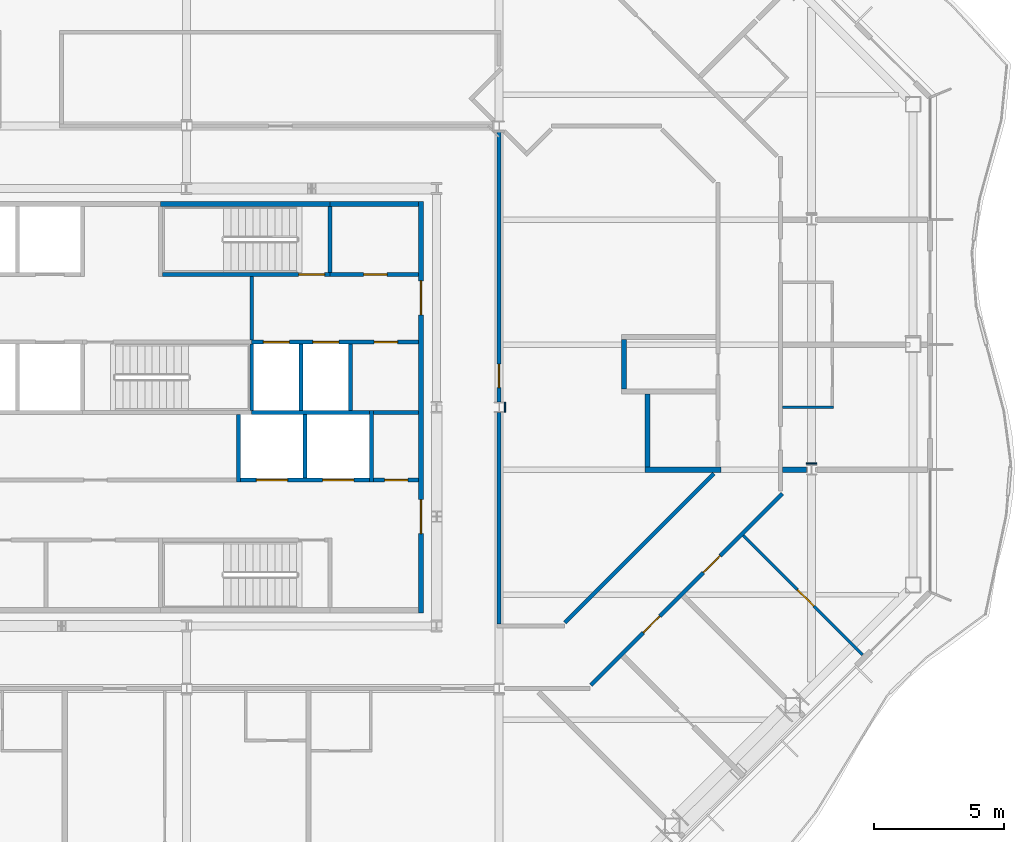
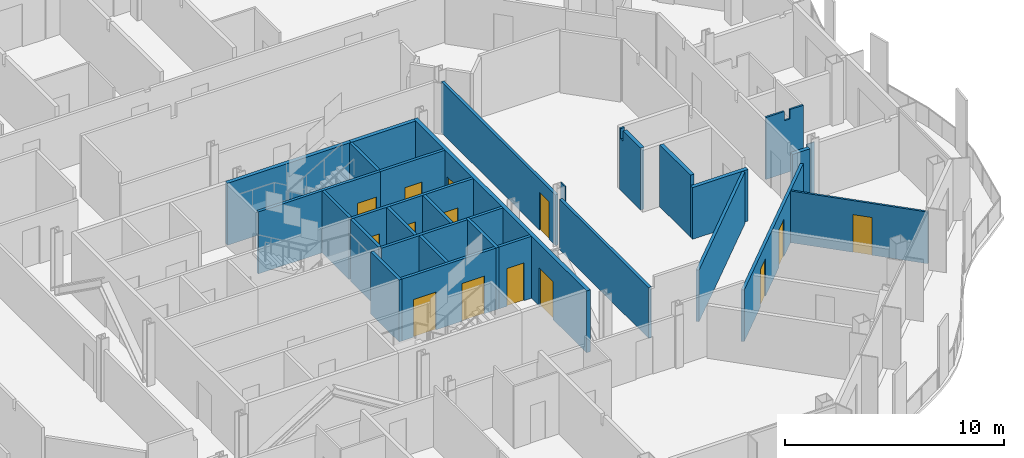
# One storey, part 10 of 21: 30 walls, 14 doors, 14 openings.
"""IFC4 building model written with IfcOpenShell, lengths in metres."""

from ifc_helpers import new_model, si_unit, direction, frame, frame_2d, origin, place, context, subcontext, project, spatial, polyline, rectangle, outline, extrude, material, layer, layer_set, type_object, element, fill, save


model = new_model("IFC4")

# Units and contexts
model_context = context("Model", 3, precision=1e-05, world=origin(), true_north=direction((0.0, 1.0)))
body_context = subcontext(model_context, "Body", "Model", "MODEL_VIEW")
ifc_project = project(units=[si_unit("LENGTHUNIT", "METRE"), si_unit("AREAUNIT", "SQUARE_METRE"), si_unit("VOLUMEUNIT", "CUBIC_METRE"), si_unit("PLANEANGLEUNIT", "RADIAN"), si_unit("MASSUNIT", "GRAM", prefix="KILO")], contexts=[model_context])

# Site, building, storey
site_placement = place(None, origin())
site = spatial("IfcSite", under=ifc_project, at=site_placement, CompositionType="ELEMENT")
building_placement = place(site_placement, origin())
building = spatial("IfcBuilding", under=site, at=building_placement, Name="Cairn Pilgrim Tower", CompositionType="ELEMENT")
storey_placement = place(building_placement, frame((0.0, 0.0, 157.800048828125)))
storey = spatial("IfcBuildingStorey", under=building, at=storey_placement, Name="L39", CompositionType="ELEMENT", Elevation=157.800048828125)

# Wall
ifc_material_1 = material(Name="Concrete C32/40", Category="concrete")
ifc_layer_1 = layer(ifc_material_1, 0.199951171875)
ifc_layer_set_1 = layer_set([ifc_layer_1], Name="CORE OUTER WALL 200 EI 120")
wall_type_1 = type_object("IfcWallType", Name="CORE OUTER WALL 200 EI 120", PredefinedType="SOLIDWALL", material=ifc_layer_set_1)
wall_1_placement = place(storey_placement, frame((12.699951171875, 10.199951171875, 0.0), z_axis=(0.0, 0.0, 1.0), x_axis=(1.0, 0.0, 0.0)))
element("IfcWall", 1, at=wall_1_placement, inside=storey, type_object=wall_type_1, Name="CW:L39:H12-3", PredefinedType="SOLIDWALL", context=body_context, shape_type="SweptSolid", body=[
    extrude(rectangle(XDim=3.400146484375, YDim=0.199951171875, at=frame_2d((1.7001953125, 0.0))), origin(), (0.0, 0.0, 1.0), 3.449951171875),
])

# Wall, openings, doors
wall_2_placement = place(storey_placement, frame((16.199951171875, -5.5, 0.0), z_axis=(0.0, 0.0, 1.0), x_axis=(0.0, 1.0, 0.0)))
wall_2 = element("IfcWall", 2, at=wall_2_placement, inside=storey, type_object=wall_type_1, Name="CW:L39:V30", PredefinedType="SOLIDWALL", context=body_context, shape_type="SweptSolid", body=[
    extrude(rectangle(XDim=15.800048828125, YDim=0.199951171875, at=frame_2d((7.89990234375, 0.0))), origin(), (0.0, 0.0, 1.0), 3.449951171875),
])
opening_1_placement = place(wall_2_placement, frame((3.050048828125, 0.0, 0.0)))
opening_1 = element("IfcOpeningElement", 3, at=opening_1_placement, cuts=wall_2, Name="Opening CD-E1", PredefinedType="OPENING", context=body_context, shape_type="SweptSolid", body=[
    extrude(rectangle(XDim=1.300048828125, YDim=2.10009765625, at=frame_2d((0.64990234375, 1.050048828125))), frame((0.0, 0.10986328125, 0.0), z_axis=(0.0, -1.0, 0.0), x_axis=(1.0, 0.0, 0.0)), (0.0, 0.0, 1.0), 0.219970703125),
])
opening_2_placement = place(wall_2_placement, frame((11.449951171875, 0.0, 0.0)))
opening_2 = element("IfcOpeningElement", 4, at=opening_2_placement, cuts=wall_2, Name="Opening CD-E2", PredefinedType="OPENING", context=body_context, shape_type="SweptSolid", body=[
    extrude(rectangle(XDim=1.300048828125, YDim=2.10009765625, at=frame_2d((0.64990234375, 1.050048828125))), frame((0.0, 0.10986328125, 0.0), z_axis=(0.0, -1.0, 0.0), x_axis=(1.0, 0.0, 0.0)), (0.0, 0.0, 1.0), 0.219970703125),
])
ifc_material_2 = material(Name="Painted steel", Category="steel")
door_type_1 = type_object("IfcDoorType", Name="CORE LOBBY DOOR 1300x2100", OperationType="DOUBLE_DOOR_SINGLE_SWING", PredefinedType="DOOR", material=ifc_material_2)
door_1_placement = place(opening_1_placement, origin())
door_1 = element("IfcDoor", 5, at=door_1_placement, inside=storey, type_object=door_type_1, Name="CD-E1", OperationType="DOUBLE_DOOR_SINGLE_SWING", OverallHeight=2.10009765625, OverallWidth=1.300048828125, PredefinedType="DOOR", context=body_context, shape_type="SweptSolid", body=[
    extrude(rectangle(XDim=1.300048828125, YDim=2.10009765625, at=frame_2d((0.64990234375, 1.050048828125))), frame((0.0, 0.02490234375, 0.0), z_axis=(0.0, -1.0, 0.0), x_axis=(1.0, 0.0, 0.0)), (0.0, 0.0, 1.0), 0.050048828125),
])
fill(opening_1, door_1)
door_2_placement = place(opening_2_placement, origin())
door_2 = element("IfcDoor", 6, at=door_2_placement, inside=storey, type_object=door_type_1, Name="CD-E2", OperationType="DOUBLE_DOOR_SINGLE_SWING", OverallHeight=2.10009765625, OverallWidth=1.300048828125, PredefinedType="DOOR", context=body_context, shape_type="SweptSolid", body=[
    extrude(rectangle(XDim=1.300048828125, YDim=2.10009765625, at=frame_2d((0.64990234375, 1.050048828125))), frame((0.0, 0.02490234375, 0.0), z_axis=(0.0, -1.0, 0.0), x_axis=(1.0, 0.0, 0.0)), (0.0, 0.0, 1.0), 0.050048828125),
])
fill(opening_2, door_2)

# Wall, opening, door
ifc_layer_2 = layer(ifc_material_1, 0.14990234375)
ifc_layer_set_2 = layer_set([ifc_layer_2], Name="CORE PARTITION 150 EI 60")
wall_type_2 = type_object("IfcWallType", Name="CORE PARTITION 150 EI 60", PredefinedType="PARTITIONING", material=ifc_layer_set_2)
wall_3_placement = place(storey_placement, frame((14.375, -0.39990234375, 0.0), z_axis=(0.0, 0.0, 1.0), x_axis=(1.0, 0.0, 0.0)))
wall_3 = element("IfcWall", 7, at=wall_3_placement, inside=storey, type_object=wall_type_2, Name="CW:L39:H06", PredefinedType="PARTITIONING", context=body_context, shape_type="SweptSolid", body=[
    extrude(rectangle(XDim=1.72509765625, YDim=0.14990234375, at=frame_2d((0.862548828125, 0.0))), origin(), (0.0, 0.0, 1.0), 3.449951171875),
])
opening_3_placement = place(wall_3_placement, frame((0.425048828125, 0.0, 0.0)))
opening_3 = element("IfcOpeningElement", 8, at=opening_3_placement, cuts=wall_3, Name="Opening RD-R2E", PredefinedType="OPENING", context=body_context, shape_type="SweptSolid", body=[
    extrude(rectangle(XDim=0.89990234375, YDim=2.10009765625, at=frame_2d((0.449951171875, 1.050048828125))), frame((0.0, 0.0849609375, 0.0), z_axis=(0.0, -1.0, 0.0), x_axis=(1.0, 0.0, 0.0)), (0.0, 0.0, 1.0), 0.169921875),
])
door_type_2 = type_object("IfcDoorType", Name="SERVICE ROOM DOOR 900x2100", OperationType="SINGLE_SWING_LEFT", PredefinedType="DOOR", material=ifc_material_2)
door_3_placement = place(opening_3_placement, origin())
door_3 = element("IfcDoor", 9, at=door_3_placement, inside=storey, type_object=door_type_2, Name="RD-R2E", OperationType="SINGLE_SWING_LEFT", OverallHeight=2.10009765625, OverallWidth=0.89990234375, PredefinedType="DOOR", context=body_context, shape_type="SweptSolid", body=[
    extrude(rectangle(XDim=0.89990234375, YDim=2.10009765625, at=frame_2d((0.449951171875, 1.050048828125))), frame((0.0, 0.02490234375, 0.0), z_axis=(0.0, -1.0, 0.0), x_axis=(1.0, 0.0, 0.0)), (0.0, 0.0, 1.0), 0.050048828125),
])
fill(opening_3, door_3)

# Wall
wall_4_placement = place(storey_placement, frame((14.375, 2.199951171875, 0.0), z_axis=(0.0, 0.0, 1.0), x_axis=(1.0, 0.0, 0.0)))
element("IfcWall", 10, at=wall_4_placement, inside=storey, type_object=wall_type_2, Name="CW:L39:H08", PredefinedType="PARTITIONING", context=body_context, shape_type="SweptSolid", body=[
    extrude(rectangle(XDim=1.72509765625, YDim=0.14990234375, at=frame_2d((0.862548828125, 0.0))), origin(), (0.0, 0.0, 1.0), 3.449951171875),
])

# Wall, openings, doors
ifc_layer_3 = layer(ifc_material_1, 0.14990234375)
ifc_layer_set_3 = layer_set([ifc_layer_3], Name="CORE SHAFT WALL 150 EI 120")
wall_type_3 = type_object("IfcWallType", Name="CORE SHAFT WALL 150 EI 120", PredefinedType="SOLIDWALL", material=ifc_layer_set_3)
wall_5_placement = place(storey_placement, frame((9.27490234375, -0.39990234375, 0.0), z_axis=(0.0, 0.0, 1.0), x_axis=(1.0, 0.0, 0.0)))
wall_5 = element("IfcWall", 11, at=wall_5_placement, inside=storey, type_object=wall_type_3, Name="CW:L39:H05", PredefinedType="SOLIDWALL", context=body_context, shape_type="SweptSolid", body=[
    extrude(rectangle(XDim=4.9501953125, YDim=0.14990234375, at=frame_2d((2.47509765625, 0.0))), origin(), (0.0, 0.0, 1.0), 3.449951171875),
])
opening_4_placement = place(wall_5_placement, frame((0.60009765625, 0.0, 0.0)))
opening_4 = element("IfcOpeningElement", 12, at=opening_4_placement, cuts=wall_5, Name="Opening LD-SV1", PredefinedType="OPENING", context=body_context, shape_type="SweptSolid", body=[
    extrude(rectangle(XDim=1.199951171875, YDim=2.10009765625, at=frame_2d((0.60009765625, 1.050048828125))), frame((0.0, 0.0849609375, 0.0), z_axis=(0.0, -1.0, 0.0), x_axis=(1.0, 0.0, 0.0)), (0.0, 0.0, 1.0), 0.169921875),
])
opening_5_placement = place(wall_5_placement, frame((3.14990234375, 0.0, 0.0)))
opening_5 = element("IfcOpeningElement", 13, at=opening_5_placement, cuts=wall_5, Name="Opening LD-SV2", PredefinedType="OPENING", context=body_context, shape_type="SweptSolid", body=[
    extrude(rectangle(XDim=1.199951171875, YDim=2.10009765625, at=frame_2d((0.60009765625, 1.050048828125))), frame((0.0, 0.0849609375, 0.0), z_axis=(0.0, -1.0, 0.0), x_axis=(1.0, 0.0, 0.0)), (0.0, 0.0, 1.0), 0.169921875),
])
ifc_material_3 = material(Name="Stainless steel", Category="steel")
door_type_3 = type_object("IfcDoorType", Name="LIFT LANDING DOOR 1200x2100", OperationType="DOUBLE_DOOR_SLIDING", PredefinedType="DOOR", material=ifc_material_3)
door_4_placement = place(opening_4_placement, origin())
door_4 = element("IfcDoor", 14, at=door_4_placement, inside=storey, type_object=door_type_3, Name="LANDING DOOR SV1", OperationType="DOUBLE_DOOR_SLIDING", OverallHeight=2.10009765625, OverallWidth=1.199951171875, PredefinedType="DOOR", context=body_context, shape_type="SweptSolid", body=[
    extrude(rectangle(XDim=1.199951171875, YDim=2.10009765625, at=frame_2d((0.60009765625, 1.050048828125))), frame((0.0, 0.02490234375, 0.0), z_axis=(0.0, -1.0, 0.0), x_axis=(1.0, 0.0, 0.0)), (0.0, 0.0, 1.0), 0.050048828125),
])
fill(opening_4, door_4)
door_5_placement = place(opening_5_placement, origin())
door_5 = element("IfcDoor", 15, at=door_5_placement, inside=storey, type_object=door_type_3, Name="LANDING DOOR SV2", OperationType="DOUBLE_DOOR_SLIDING", OverallHeight=2.10009765625, OverallWidth=1.199951171875, PredefinedType="DOOR", context=body_context, shape_type="SweptSolid", body=[
    extrude(rectangle(XDim=1.199951171875, YDim=2.10009765625, at=frame_2d((0.60009765625, 1.050048828125))), frame((0.0, 0.02490234375, 0.0), z_axis=(0.0, -1.0, 0.0), x_axis=(1.0, 0.0, 0.0)), (0.0, 0.0, 1.0), 0.050048828125),
])
fill(opening_5, door_5)

# Wall
wall_6_placement = place(storey_placement, frame((9.699951171875, 2.199951171875, 0.0), z_axis=(0.0, 0.0, 1.0), x_axis=(1.0, 0.0, 0.0)))
element("IfcWall", 16, at=wall_6_placement, inside=storey, type_object=wall_type_3, Name="CW:L39:H07-3", PredefinedType="SOLIDWALL", context=body_context, shape_type="SweptSolid", body=[
    extrude(rectangle(XDim=4.525146484375, YDim=0.14990234375, at=frame_2d((2.2626953125, 0.0))), origin(), (0.0, 0.0, 1.0), 3.449951171875),
])

# Wall, openings, doors
wall_7_placement = place(storey_placement, frame((9.699951171875, 4.89990234375, 0.0), z_axis=(0.0, 0.0, 1.0), x_axis=(1.0, 0.0, 0.0)))
wall_7 = element("IfcWall", 17, at=wall_7_placement, inside=storey, type_object=wall_type_3, Name="CW:L39:H09-3", PredefinedType="SOLIDWALL", context=body_context, shape_type="SweptSolid", body=[
    extrude(rectangle(XDim=6.400146484375, YDim=0.14990234375, at=frame_2d((3.2001953125, 0.0))), origin(), (0.0, 0.0, 1.0), 3.449951171875),
])
opening_6_placement = place(wall_7_placement, frame((0.449951171875, 0.0, 0.0)))
opening_6 = element("IfcOpeningElement", 18, at=opening_6_placement, cuts=wall_7, Name="Opening LD-FF1", PredefinedType="OPENING", context=body_context, shape_type="SweptSolid", body=[
    extrude(rectangle(XDim=1.0, YDim=2.10009765625, at=frame_2d((0.5, 1.050048828125))), frame((0.0, 0.0849609375, 0.0), z_axis=(0.0, -1.0, 0.0), x_axis=(1.0, 0.0, 0.0)), (0.0, 0.0, 1.0), 0.169921875),
])
opening_7_placement = place(wall_7_placement, frame((2.35009765625, 0.0, 0.0)))
opening_7 = element("IfcOpeningElement", 19, at=opening_7_placement, cuts=wall_7, Name="Opening LD-FF2", PredefinedType="OPENING", context=body_context, shape_type="SweptSolid", body=[
    extrude(rectangle(XDim=1.0, YDim=2.10009765625, at=frame_2d((0.5, 1.050048828125))), frame((0.0, 0.0849609375, 0.0), z_axis=(0.0, -1.0, 0.0), x_axis=(1.0, 0.0, 0.0)), (0.0, 0.0, 1.0), 0.169921875),
])
opening_8_placement = place(wall_7_placement, frame((4.699951171875, 0.0, 0.0)))
opening_8 = element("IfcOpeningElement", 20, at=opening_8_placement, cuts=wall_7, Name="Opening RD-R3E", PredefinedType="OPENING", context=body_context, shape_type="SweptSolid", body=[
    extrude(rectangle(XDim=0.89990234375, YDim=2.10009765625, at=frame_2d((0.449951171875, 1.050048828125))), frame((0.0, 0.0849609375, 0.0), z_axis=(0.0, -1.0, 0.0), x_axis=(1.0, 0.0, 0.0)), (0.0, 0.0, 1.0), 0.169921875),
])
door_type_4 = type_object("IfcDoorType", Name="LIFT LANDING DOOR FIRE 1000x2100", OperationType="DOUBLE_DOOR_SLIDING", PredefinedType="DOOR", material=ifc_material_3)
door_6_placement = place(opening_6_placement, origin())
door_6 = element("IfcDoor", 21, at=door_6_placement, inside=storey, type_object=door_type_4, Name="LANDING DOOR FF1", OperationType="DOUBLE_DOOR_SLIDING", OverallHeight=2.10009765625, OverallWidth=1.0, PredefinedType="DOOR", context=body_context, shape_type="SweptSolid", body=[
    extrude(rectangle(XDim=1.0, YDim=2.10009765625, at=frame_2d((0.5, 1.050048828125))), frame((0.0, 0.02490234375, 0.0), z_axis=(0.0, -1.0, 0.0), x_axis=(1.0, 0.0, 0.0)), (0.0, 0.0, 1.0), 0.050048828125),
])
fill(opening_6, door_6)
door_7_placement = place(opening_7_placement, origin())
door_7 = element("IfcDoor", 22, at=door_7_placement, inside=storey, type_object=door_type_4, Name="LANDING DOOR FF2", OperationType="DOUBLE_DOOR_SLIDING", OverallHeight=2.10009765625, OverallWidth=1.0, PredefinedType="DOOR", context=body_context, shape_type="SweptSolid", body=[
    extrude(rectangle(XDim=1.0, YDim=2.10009765625, at=frame_2d((0.5, 1.050048828125))), frame((0.0, 0.02490234375, 0.0), z_axis=(0.0, -1.0, 0.0), x_axis=(1.0, 0.0, 0.0)), (0.0, 0.0, 1.0), 0.050048828125),
])
fill(opening_7, door_7)
door_8_placement = place(opening_8_placement, origin())
door_8 = element("IfcDoor", 23, at=door_8_placement, inside=storey, type_object=door_type_2, Name="RD-R3E", OperationType="SINGLE_SWING_RIGHT", OverallHeight=2.10009765625, OverallWidth=0.89990234375, PredefinedType="DOOR", context=body_context, shape_type="SweptSolid", body=[
    extrude(rectangle(XDim=0.89990234375, YDim=2.10009765625, at=frame_2d((0.449951171875, 1.050048828125))), frame((0.0, 0.02490234375, 0.0), z_axis=(0.0, -1.0, 0.0), x_axis=(1.0, 0.0, 0.0)), (0.0, 0.0, 1.0), 0.050048828125),
])
fill(opening_8, door_8)

# Wall, opening, door
wall_8_placement = place(storey_placement, frame((12.699951171875, 7.5, 0.0), z_axis=(0.0, 0.0, 1.0), x_axis=(1.0, 0.0, 0.0)))
wall_8 = element("IfcWall", 24, at=wall_8_placement, inside=storey, type_object=wall_type_3, Name="CW:L39:H11-2", PredefinedType="SOLIDWALL", context=body_context, shape_type="SweptSolid", body=[
    extrude(rectangle(XDim=3.400146484375, YDim=0.14990234375, at=frame_2d((1.7001953125, 0.0))), origin(), (0.0, 0.0, 1.0), 3.449951171875),
])
opening_9_placement = place(wall_8_placement, frame((1.300048828125, 0.0, 0.0)))
opening_9 = element("IfcOpeningElement", 25, at=opening_9_placement, cuts=wall_8, Name="Opening RD-R4E", PredefinedType="OPENING", context=body_context, shape_type="SweptSolid", body=[
    extrude(rectangle(XDim=0.89990234375, YDim=2.10009765625, at=frame_2d((0.449951171875, 1.050048828125))), frame((0.0, 0.0849609375, 0.0), z_axis=(0.0, -1.0, 0.0), x_axis=(1.0, 0.0, 0.0)), (0.0, 0.0, 1.0), 0.169921875),
])
door_9_placement = place(opening_9_placement, origin())
door_9 = element("IfcDoor", 26, at=door_9_placement, inside=storey, type_object=door_type_2, Name="RD-R4E", OperationType="SINGLE_SWING_LEFT", OverallHeight=2.10009765625, OverallWidth=0.89990234375, PredefinedType="DOOR", context=body_context, shape_type="SweptSolid", body=[
    extrude(rectangle(XDim=0.89990234375, YDim=2.10009765625, at=frame_2d((0.449951171875, 1.050048828125))), frame((0.0, 0.02490234375, 0.0), z_axis=(0.0, -1.0, 0.0), x_axis=(1.0, 0.0, 0.0)), (0.0, 0.0, 1.0), 0.050048828125),
])
fill(opening_9, door_9)

# Walls
wall_9_placement = place(storey_placement, frame((9.199951171875, -0.47509765625, 0.0), z_axis=(0.0, 0.0, 1.0), x_axis=(0.0, 1.0, 0.0)))
element("IfcWall", 27, at=wall_9_placement, inside=storey, type_object=wall_type_3, Name="CW:L39:V21", PredefinedType="SOLIDWALL", context=body_context, shape_type="SweptSolid", body=[
    extrude(rectangle(XDim=2.60009765625, YDim=0.14990234375, at=frame_2d((1.300048828125, 0.0))), origin(), (0.0, 0.0, 1.0), 3.449951171875),
])
wall_10_placement = place(storey_placement, frame((9.699951171875, 4.97509765625, 0.0), z_axis=(0.0, 0.0, 1.0), x_axis=(0.0, 1.0, 0.0)))
element("IfcWall", 28, at=wall_10_placement, inside=storey, type_object=wall_type_3, Name="CW:L39:V23", PredefinedType="SOLIDWALL", context=body_context, shape_type="SweptSolid", body=[
    extrude(rectangle(XDim=2.449951171875, YDim=0.14990234375, at=frame_2d((1.22509765625, 0.0))), origin(), (0.0, 0.0, 1.0), 3.449951171875),
])
wall_11_placement = place(storey_placement, frame((11.60009765625, 2.27490234375, 0.0), z_axis=(0.0, 0.0, 1.0), x_axis=(0.0, 1.0, 0.0)))
element("IfcWall", 29, at=wall_11_placement, inside=storey, type_object=wall_type_3, Name="CW:L39:V24", PredefinedType="SOLIDWALL", context=body_context, shape_type="SweptSolid", body=[
    extrude(rectangle(XDim=2.550048828125, YDim=0.14990234375, at=frame_2d((1.27490234375, 0.0))), origin(), (0.0, 0.0, 1.0), 3.449951171875),
])
wall_12_placement = place(storey_placement, frame((11.75, -0.324951171875, 0.0), z_axis=(0.0, 0.0, 1.0), x_axis=(0.0, 1.0, 0.0)))
element("IfcWall", 30, at=wall_12_placement, inside=storey, type_object=wall_type_3, Name="CW:L39:V25", PredefinedType="SOLIDWALL", context=body_context, shape_type="SweptSolid", body=[
    extrude(rectangle(XDim=2.449951171875, YDim=0.14990234375, at=frame_2d((1.22509765625, 0.0))), origin(), (0.0, 0.0, 1.0), 3.449951171875),
])
wall_13_placement = place(storey_placement, frame((13.5, 2.27490234375, 0.0), z_axis=(0.0, 0.0, 1.0), x_axis=(0.0, 1.0, 0.0)))
element("IfcWall", 31, at=wall_13_placement, inside=storey, type_object=wall_type_3, Name="CW:L39:V28", PredefinedType="SOLIDWALL", context=body_context, shape_type="SweptSolid", body=[
    extrude(rectangle(XDim=2.550048828125, YDim=0.14990234375, at=frame_2d((1.27490234375, 0.0))), origin(), (0.0, 0.0, 1.0), 3.449951171875),
])
wall_14_placement = place(storey_placement, frame((14.300048828125, -0.47509765625, 0.0), z_axis=(0.0, 0.0, 1.0), x_axis=(0.0, 1.0, 0.0)))
element("IfcWall", 32, at=wall_14_placement, inside=storey, type_object=wall_type_3, Name="CW:L39:V29", PredefinedType="SOLIDWALL", context=body_context, shape_type="SweptSolid", body=[
    extrude(rectangle(XDim=2.75, YDim=0.14990234375, at=frame_2d((1.375, 0.0))), origin(), (0.0, 0.0, 1.0), 3.449951171875),
])

# Wall, opening, door
ifc_material_4 = material(Name="Gypsum partition")
ifc_layer_4 = layer(ifc_material_4, 0.10009765625)
ifc_layer_set_4 = layer_set([ifc_layer_4], Name="PARTITION 100 DRYWALL")
wall_type_4 = type_object("IfcWallType", Name="PARTITION 100 DRYWALL", PredefinedType="PARTITIONING", material=ifc_layer_set_4)
wall_15_placement = place(storey_placement, frame((33.1552734375, -7.107421875, 0.0), z_axis=(0.0, 0.0, 1.0), x_axis=(-0.70708794033, 0.707125621541, 0.0)))
wall_15 = element("IfcWall", 33, at=wall_15_placement, inside=storey, type_object=wall_type_4, Name="PARTITION W027", PredefinedType="PARTITIONING", context=body_context, shape_type="SweptSolid", body=[
    extrude(rectangle(XDim=6.47900390625, YDim=0.10009765625, at=frame_2d((3.239501953125, 0.0))), origin(), (0.0, 0.0, 1.0), 2.8798828125),
])
opening_10_placement = place(wall_15_placement, frame((2.636962890625, 0.0, 0.0)))
opening_10 = element("IfcOpeningElement", 34, at=opening_10_placement, cuts=wall_15, Name="Opening 3905", PredefinedType="OPENING", context=body_context, shape_type="SweptSolid", body=[
    extrude(rectangle(XDim=0.89990234375, YDim=2.10009765625, at=frame_2d((0.449951171875, 1.050048828125))), frame((0.0, 0.06005859375, 0.0), z_axis=(0.0, -1.0, 0.0), x_axis=(1.0, 0.0, 0.0)), (0.0, 0.0, 1.0), 0.1201171875),
])
ifc_material_5 = material(Name="Timber door leaf", Category="wood")
door_type_5 = type_object("IfcDoorType", Name="SERVICE DOOR 900x2100", OperationType="NOTDEFINED", PredefinedType="DOOR", material=ifc_material_5)
door_10_placement = place(opening_10_placement, frame((0.89990234375, 0.0, 0.0), z_axis=(0.0, 0.0, 1.0), x_axis=(-1.0, 0.0, 0.0)))
door_10 = element("IfcDoor", 35, at=door_10_placement, inside=storey, type_object=door_type_5, Name="DOOR 3905", OperationType="SINGLE_SWING_RIGHT", OverallHeight=2.10009765625, OverallWidth=0.89990234375, PredefinedType="DOOR", context=body_context, shape_type="SweptSolid", body=[
    extrude(rectangle(XDim=0.89990234375, YDim=2.10009765625, at=frame_2d((0.449951171875, 1.050048828125))), frame((0.0, 0.02490234375, 0.0), z_axis=(0.0, -1.0, 0.0), x_axis=(1.0, 0.0, 0.0)), (0.0, 0.0, 1.0), 0.050048828125),
])
fill(opening_10, door_10)

# Wall
wall_16_placement = place(storey_placement, frame((30.074951171875, 2.39990234375, 0.0), z_axis=(0.0, 0.0, 1.0), x_axis=(1.0, 0.0, 0.0)))
element("IfcWall", 36, at=wall_16_placement, inside=storey, type_object=wall_type_4, Name="PARTITION W049", PredefinedType="PARTITIONING", context=body_context, shape_type="SweptSolid", body=[
    extrude(outline(polyline([(0.0, 0.0), (1.97509765625, 0.0), (1.97509765625, 3.449951171875), (1.27490234375, 3.449951171875), (1.27294921875, 2.929931640625), (0.97509765625, 2.929931640625), (0.972900390625, 3.449951171875), (0.0, 3.449951171875), (0.0, 0.0)])), frame((0.0, 0.050048828125, 0.0), z_axis=(0.0, -1.0, 0.0), x_axis=(1.0, 0.0, 0.0)), (0.0, 0.0, 1.0), 0.10009765625),
])

# Wall, openings, doors
ifc_layer_5 = layer(ifc_material_4, 0.14990234375)
ifc_layer_set_5 = layer_set([ifc_layer_5], Name="PARTITION 150 DRYWALL EI 60")
wall_type_5 = type_object("IfcWallType", Name="PARTITION 150 DRYWALL EI 60", PredefinedType="PARTITIONING", material=ifc_layer_set_5)
wall_17_placement = place(storey_placement, frame((22.721923828125, -8.27197265625, 0.0), z_axis=(0.0, 0.0, 1.0), x_axis=(0.707106781187, 0.707106781187, 0.0)))
wall_17 = element("IfcWall", 37, at=wall_17_placement, inside=storey, type_object=wall_type_5, Name="PARTITION W026", PredefinedType="PARTITIONING", context=body_context, shape_type="SweptSolid", body=[
    extrude(rectangle(XDim=10.398681640625, YDim=0.14990234375, at=frame_2d((5.19921875, 0.0))), origin(), (0.0, 0.0, 1.0), 2.8798828125),
])
opening_11_placement = place(wall_17_placement, frame((2.846435546875, 0.0, 0.0)))
opening_11 = element("IfcOpeningElement", 38, at=opening_11_placement, cuts=wall_17, Name="Opening 3903", PredefinedType="OPENING", context=body_context, shape_type="SweptSolid", body=[
    extrude(rectangle(XDim=0.89990234375, YDim=2.10009765625, at=frame_2d((0.449951171875, 1.050048828125))), frame((0.0, 0.0849609375, 0.0), z_axis=(0.0, -1.0, 0.0), x_axis=(1.0, 0.0, 0.0)), (0.0, 0.0, 1.0), 0.169921875),
])
opening_12_placement = place(wall_17_placement, frame((6.115966796875, 0.0, 0.0)))
opening_12 = element("IfcOpeningElement", 39, at=opening_12_placement, cuts=wall_17, Name="Opening 3904", PredefinedType="OPENING", context=body_context, shape_type="SweptSolid", body=[
    extrude(rectangle(XDim=0.89990234375, YDim=2.10009765625, at=frame_2d((0.449951171875, 1.050048828125))), frame((0.0, 0.0849609375, 0.0), z_axis=(0.0, -1.0, 0.0), x_axis=(1.0, 0.0, 0.0)), (0.0, 0.0, 1.0), 0.169921875),
])
door_type_6 = type_object("IfcDoorType", Name="ROOM DOOR 900x2100 FD30S", OperationType="NOTDEFINED", PredefinedType="DOOR", material=ifc_material_5)
door_11_placement = place(opening_12_placement, frame((0.89990234375, 0.0, 0.0), z_axis=(0.0, 0.0, 1.0), x_axis=(-1.0, 0.0, 0.0)))
door_11 = element("IfcDoor", 40, at=door_11_placement, inside=storey, type_object=door_type_6, Name="DOOR 3904", OperationType="SINGLE_SWING_LEFT", OverallHeight=2.10009765625, OverallWidth=0.89990234375, PredefinedType="DOOR", context=body_context, shape_type="SweptSolid", body=[
    extrude(rectangle(XDim=0.89990234375, YDim=2.10009765625, at=frame_2d((0.449951171875, 1.050048828125))), frame((0.0, 0.02490234375, 0.0), z_axis=(0.0, -1.0, 0.0), x_axis=(1.0, 0.0, 0.0)), (0.0, 0.0, 1.0), 0.050048828125),
])
fill(opening_12, door_11)
door_type_7 = type_object("IfcDoorType", Name="SERVICE DOOR 900x2100 FD30S", OperationType="NOTDEFINED", PredefinedType="DOOR", material=ifc_material_5)
door_12_placement = place(opening_11_placement, frame((0.89990234375, 0.0, 0.0), z_axis=(0.0, 0.0, 1.0), x_axis=(-1.0, 0.0, 0.0)))
door_12 = element("IfcDoor", 41, at=door_12_placement, inside=storey, type_object=door_type_7, Name="DOOR 3903", OperationType="SINGLE_SWING_LEFT", OverallHeight=2.10009765625, OverallWidth=0.89990234375, PredefinedType="DOOR", context=body_context, shape_type="SweptSolid", body=[
    extrude(rectangle(XDim=0.89990234375, YDim=2.10009765625, at=frame_2d((0.449951171875, 1.050048828125))), frame((0.0, 0.02490234375, 0.0), z_axis=(0.0, -1.0, 0.0), x_axis=(1.0, 0.0, 0.0)), (0.0, 0.0, 1.0), 0.050048828125),
])
fill(opening_11, door_12)

# Walls
wall_18_placement = place(storey_placement, frame((19.199951171875, -5.925048828125, 0.0), z_axis=(0.0, 0.0, 1.0), x_axis=(0.0, 1.0, 0.0)))
element("IfcWall", 42, at=wall_18_placement, inside=storey, type_object=wall_type_5, Name="PARTITION W034", PredefinedType="PARTITIONING", context=body_context, shape_type="SweptSolid", body=[
    extrude(rectangle(XDim=8.128662109375, YDim=0.14990234375, at=frame_2d((4.064453125, 0.0))), origin(), (0.0, 0.0, 1.0), 2.829833984375),
])
wall_19_placement = place(storey_placement, frame((21.72802734375, -5.8720703125, 0.0), z_axis=(0.0, 0.0, 1.0), x_axis=(0.707106781187, 0.707106781187, 0.0)))
element("IfcWall", 43, at=wall_19_placement, inside=storey, type_object=wall_type_5, Name="PARTITION W035", PredefinedType="PARTITIONING", context=body_context, shape_type="SweptSolid", body=[
    extrude(rectangle(XDim=8.087890625, YDim=0.14990234375, at=frame_2d((4.0439453125, 0.0))), origin(), (0.0, 0.0, 1.0), 2.8798828125),
])

# Wall, opening, door
wall_20_placement = place(storey_placement, frame((19.199951171875, 2.596435546875, 0.0), z_axis=(0.0, 0.0, 1.0), x_axis=(0.0, 1.0, 0.0)))
wall_20 = element("IfcWall", 44, at=wall_20_placement, inside=storey, type_object=wall_type_5, Name="PARTITION W052", PredefinedType="PARTITIONING", context=body_context, shape_type="SweptSolid", body=[
    extrude(rectangle(XDim=10.406982421875, YDim=0.14990234375, at=frame_2d((5.20361328125, 0.0))), origin(), (0.0, 0.0, 1.0), 2.829833984375),
])
opening_13_placement = place(wall_20_placement, frame((0.553466796875, 0.0, 0.0)))
opening_13 = element("IfcOpeningElement", 45, at=opening_13_placement, cuts=wall_20, Name="Opening 3926", PredefinedType="OPENING", context=body_context, shape_type="SweptSolid", body=[
    extrude(rectangle(XDim=0.89990234375, YDim=2.10009765625, at=frame_2d((0.449951171875, 1.050048828125))), frame((0.0, 0.0849609375, 0.0), z_axis=(0.0, -1.0, 0.0), x_axis=(1.0, 0.0, 0.0)), (0.0, 0.0, 1.0), 0.169921875),
])
door_13_placement = place(opening_13_placement, frame((0.89990234375, 0.0, 0.0), z_axis=(0.0, 0.0, 1.0), x_axis=(-1.0, 0.0, 0.0)))
door_13 = element("IfcDoor", 46, at=door_13_placement, inside=storey, type_object=door_type_7, Name="DOOR 3926", OperationType="SINGLE_SWING_LEFT", OverallHeight=2.10009765625, OverallWidth=0.89990234375, PredefinedType="DOOR", context=body_context, shape_type="SweptSolid", body=[
    extrude(rectangle(XDim=0.89990234375, YDim=2.10009765625, at=frame_2d((0.449951171875, 1.050048828125))), frame((0.0, 0.02490234375, 0.0), z_axis=(0.0, -1.0, 0.0), x_axis=(1.0, 0.0, 0.0)), (0.0, 0.0, 1.0), 0.050048828125),
])
fill(opening_13, door_13)

# Walls
ifc_layer_6 = layer(ifc_material_4, 0.050048828125)
ifc_layer_set_6 = layer_set([ifc_layer_6], Name="PARTITION 50 DRYWALL EI 60")
wall_type_6 = type_object("IfcWallType", Name="PARTITION 50 DRYWALL EI 60", PredefinedType="PARTITIONING", material=ifc_layer_set_6)
wall_21_placement = place(storey_placement, frame((19.424560546875, 2.20361328125, 0.0), z_axis=(0.0, 0.0, 1.0), x_axis=(0.0, 1.0, 0.0)))
element("IfcWall", 47, at=wall_21_placement, inside=storey, type_object=wall_type_6, Name="COLUMN CASING WC15", PredefinedType="PARTITIONING", context=body_context, shape_type="SweptSolid", body=[
    extrude(rectangle(XDim=0.392822265625, YDim=0.050048828125, at=frame_2d((0.1962890625, 0.0))), origin(), (0.0, 0.0, 1.0), 3.449951171875),
])
wall_22_placement = place(storey_placement, frame((30.99560546875, 0.237548828125, 0.0), z_axis=(0.0, 0.0, 1.0), x_axis=(1.0, 0.0, 0.0)))
element("IfcWall", 48, at=wall_22_placement, inside=storey, type_object=wall_type_6, Name="COLUMN CASING WC18", PredefinedType="PARTITIONING", context=body_context, shape_type="SweptSolid", body=[
    extrude(rectangle(XDim=0.408935546875, YDim=0.050048828125, at=frame_2d((0.20458984375, 0.0))), origin(), (0.0, 0.0, 1.0), 2.929931640625),
])
ifc_layer_7 = layer(ifc_material_4, 0.199951171875)
ifc_layer_set_7 = layer_set([ifc_layer_7], Name="SHAFT WALL 200 GYPSUM EI 60")
wall_type_7 = type_object("IfcWallType", Name="SHAFT WALL 200 GYPSUM EI 60", PredefinedType="PARTITIONING", material=ifc_layer_set_7)
wall_23_placement = place(storey_placement, frame((24.800048828125, 0.0, 0.0), z_axis=(0.0, 0.0, 1.0), x_axis=(1.0, 0.0, 0.0)))
element("IfcWall", 49, at=wall_23_placement, inside=storey, type_object=wall_type_7, Name="PARTITION W042", PredefinedType="PARTITIONING", context=body_context, shape_type="SweptSolid", body=[
    extrude(rectangle(XDim=2.916259765625, YDim=0.199951171875, at=frame_2d((1.4580078125, 0.0))), origin(), (0.0, 0.0, 1.0), 2.8798828125),
])
wall_24_placement = place(storey_placement, frame((30.074951171875, 0.0, 0.0), z_axis=(0.0, 0.0, 1.0), x_axis=(1.0, 0.0, 0.0)))
element("IfcWall", 50, at=wall_24_placement, inside=storey, type_object=wall_type_7, Name="PARTITION W043", PredefinedType="PARTITIONING", context=body_context, shape_type="SweptSolid", body=[
    extrude(rectangle(XDim=0.920654296875, YDim=0.199951171875, at=frame_2d((0.46044921875, 0.0))), origin(), (0.0, 0.0, 1.0), 2.8798828125),
])
wall_25_placement = place(storey_placement, frame((24.89990234375, 0.10009765625, 0.0), z_axis=(0.0, 0.0, 1.0), x_axis=(0.0, 1.0, 0.0)))
element("IfcWall", 51, at=wall_25_placement, inside=storey, type_object=wall_type_7, Name="PARTITION W045", PredefinedType="PARTITIONING", context=body_context, shape_type="SweptSolid", body=[
    extrude(outline(polyline([(0.0, 0.0), (2.7998046875, 0.0), (2.800048828125, 3.449951171875), (0.0048828125, 3.449951171875), (0.0029296875, 2.8798828125), (0.0, 2.8798828125), (0.0, 0.0)])), frame((0.0, 0.10009765625, 0.0), z_axis=(0.0, -1.0, 0.0), x_axis=(1.0, 0.0, 0.0)), (0.0, 0.0, 1.0), 0.199951171875),
])
wall_26_placement = place(storey_placement, frame((24.0, 3.10009765625, 0.0), z_axis=(0.0, 0.0, 1.0), x_axis=(0.0, 1.0, 0.0)))
element("IfcWall", 52, at=wall_26_placement, inside=storey, type_object=wall_type_7, Name="PARTITION W054", PredefinedType="PARTITIONING", context=body_context, shape_type="SweptSolid", body=[
    extrude(outline(polyline([(0.0, 0.0), (1.89990234375, 0.0), (1.89990234375, 3.449951171875), (1.804931640625, 3.449951171875), (1.802978515625, 2.8798828125), (1.594970703125, 2.8798828125), (1.593017578125, 3.449951171875), (0.0, 3.449951171875), (0.0, 0.0)])), frame((0.0, 0.10009765625, 0.0), z_axis=(0.0, -1.0, 0.0), x_axis=(1.0, 0.0, 0.0)), (0.0, 0.0, 1.0), 0.199951171875),
])

# Wall, opening, door
ifc_material_6 = material(Name="Concrete C35/45", Category="concrete")
ifc_layer_8 = layer(ifc_material_6, 0.14990234375)
ifc_layer_set_8 = layer_set([ifc_layer_8], Name="STAIR SHAFT WALL 150 EI 120")
wall_type_8 = type_object("IfcWallType", Name="STAIR SHAFT WALL 150 EI 120", PredefinedType="SOLIDWALL", material=ifc_layer_set_8)
wall_27_placement = place(storey_placement, frame((6.27490234375, 7.5, 0.0), z_axis=(0.0, 0.0, 1.0), x_axis=(1.0, 0.0, 0.0)))
wall_27 = element("IfcWall", 53, at=wall_27_placement, inside=storey, type_object=wall_type_8, Name="CW:L39:H11-1", PredefinedType="SOLIDWALL", context=body_context, shape_type="SweptSolid", body=[
    extrude(rectangle(XDim=6.425048828125, YDim=0.14990234375, at=frame_2d((3.21240234375, 0.0))), origin(), (0.0, 0.0, 1.0), 3.449951171875),
])
opening_14_placement = place(wall_27_placement, frame((5.22509765625, 0.0, 0.0)))
opening_14 = element("IfcOpeningElement", 54, at=opening_14_placement, cuts=wall_27, Name="Opening SD-C", PredefinedType="OPENING", context=body_context, shape_type="SweptSolid", body=[
    extrude(rectangle(XDim=1.0, YDim=2.10009765625, at=frame_2d((0.5, 1.050048828125))), frame((0.0, 0.0849609375, 0.0), z_axis=(0.0, -1.0, 0.0), x_axis=(1.0, 0.0, 0.0)), (0.0, 0.0, 1.0), 0.169921875),
])
door_type_8 = type_object("IfcDoorType", Name="STAIR DOOR FD60S 1000x2100", OperationType="SINGLE_SWING_LEFT", PredefinedType="DOOR", material=ifc_material_2)
door_14_placement = place(opening_14_placement, origin())
door_14 = element("IfcDoor", 55, at=door_14_placement, inside=storey, type_object=door_type_8, Name="SD-C", OperationType="SINGLE_SWING_RIGHT", OverallHeight=2.10009765625, OverallWidth=1.0, PredefinedType="DOOR", context=body_context, shape_type="SweptSolid", body=[
    extrude(rectangle(XDim=1.0, YDim=2.10009765625, at=frame_2d((0.5, 1.050048828125))), frame((0.0, 0.02490234375, 0.0), z_axis=(0.0, -1.0, 0.0), x_axis=(1.0, 0.0, 0.0)), (0.0, 0.0, 1.0), 0.050048828125),
])
fill(opening_14, door_14)

# Walls
wall_28_placement = place(storey_placement, frame((9.699951171875, 2.27490234375, 0.0), z_axis=(0.0, 0.0, 1.0), x_axis=(0.0, 1.0, 0.0)))
element("IfcWall", 56, at=wall_28_placement, inside=storey, type_object=wall_type_8, Name="CW:L39:V22", PredefinedType="SOLIDWALL", context=body_context, shape_type="SweptSolid", body=[
    extrude(rectangle(XDim=2.550048828125, YDim=0.14990234375, at=frame_2d((1.27490234375, 0.0))), origin(), (0.0, 0.0, 1.0), 3.449951171875),
])
wall_29_placement = place(storey_placement, frame((12.699951171875, 7.574951171875, 0.0), z_axis=(0.0, 0.0, 1.0), x_axis=(0.0, 1.0, 0.0)))
element("IfcWall", 57, at=wall_29_placement, inside=storey, type_object=wall_type_8, Name="CW:L39:V27", PredefinedType="SOLIDWALL", context=body_context, shape_type="SweptSolid", body=[
    extrude(rectangle(XDim=2.525146484375, YDim=0.14990234375, at=frame_2d((1.2626953125, 0.0))), origin(), (0.0, 0.0, 1.0), 3.449951171875),
])
ifc_layer_9 = layer(ifc_material_6, 0.199951171875)
ifc_layer_set_9 = layer_set([ifc_layer_9], Name="STAIR SHAFT WALL 200 EI 120")
wall_type_9 = type_object("IfcWallType", Name="STAIR SHAFT WALL 200 EI 120", PredefinedType="SOLIDWALL", material=ifc_layer_set_9)
wall_30_placement = place(storey_placement, frame((6.199951171875, 10.199951171875, 0.0), z_axis=(0.0, 0.0, 1.0), x_axis=(1.0, 0.0, 0.0)))
element("IfcWall", 58, at=wall_30_placement, inside=storey, type_object=wall_type_9, Name="CW:L39:H12-2", PredefinedType="SOLIDWALL", context=body_context, shape_type="SweptSolid", body=[
    extrude(rectangle(XDim=6.5, YDim=0.199951171875, at=frame_2d((3.25, 0.0))), origin(), (0.0, 0.0, 1.0), 3.449951171875),
])

save(model, "model.ifc")
